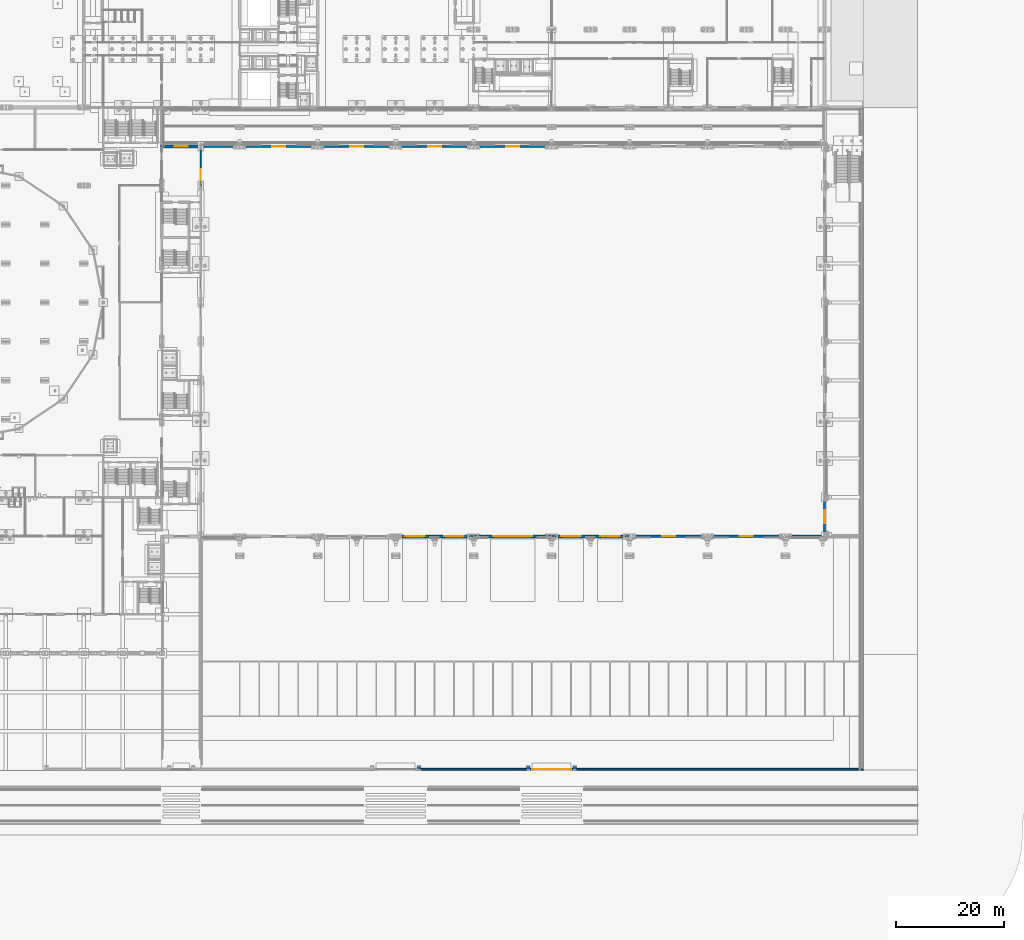
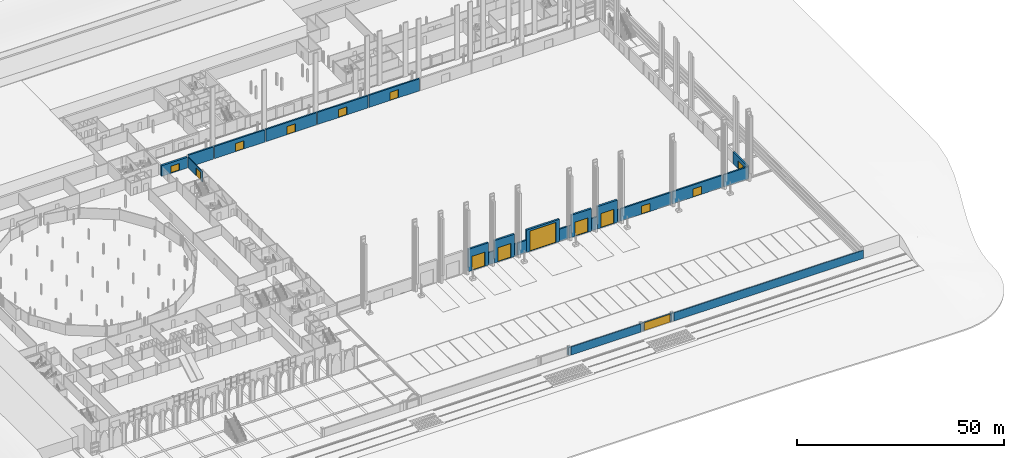
# One storey, part 85 of 148: 29 walls, 15 doors, 15 openings.
"""IFC4 building model written with IfcOpenShell, lengths in metres."""

from ifc_helpers import new_model, si_unit, direction, frame, frame_2d, origin, place, context, subcontext, project, spatial, rectangle, extrude, material, layer, layer_set, type_object, element, fill, save


model = new_model("IFC4")

# Units and contexts
model_context = context("Model", 3, precision=1e-05, world=origin(), true_north=direction((0.0, 1.0)))
body_context = subcontext(model_context, "Body", "Model", "MODEL_VIEW")
ifc_project = project(units=[si_unit("LENGTHUNIT", "METRE"), si_unit("AREAUNIT", "SQUARE_METRE"), si_unit("VOLUMEUNIT", "CUBIC_METRE"), si_unit("PLANEANGLEUNIT", "RADIAN"), si_unit("MASSUNIT", "GRAM", prefix="KILO")], contexts=[model_context])

# Site, building, storey
site_placement = place(None, origin())
site = spatial("IfcSite", under=ifc_project, at=site_placement, CompositionType="ELEMENT")
building_placement = place(site_placement, origin())
building = spatial("IfcBuilding", under=site, at=building_placement, Name="Kupolbacken Congress Centre", CompositionType="ELEMENT")
storey_placement = place(building_placement, origin())
storey = spatial("IfcBuildingStorey", under=building, at=storey_placement, Name="L00", CompositionType="ELEMENT", Elevation=0.0)

# Wall
ifc_material_1 = material(Name="Brick", Category="masonry")
ifc_layer_1 = layer(ifc_material_1, 0.10791015625)
ifc_material_2 = material(Name="Concrete block", Category="masonry")
ifc_layer_2 = layer(ifc_material_2, 0.19189453125)
ifc_layer_set_1 = layer_set([ifc_layer_1, ifc_layer_2], Name="Brick / Concrete block")
wall_type_1 = type_object("IfcWallType", Name="BW1 boundary wall 300", PredefinedType="SOLIDWALL", material=ifc_layer_set_1)
wall_1_placement = place(storey_placement, frame((127.0, 0.175048828125, 0.0), z_axis=(0.0, 0.0, 1.0), x_axis=(1.0, 0.0, 0.0)))
element("IfcWall", 1, at=wall_1_placement, inside=storey, type_object=wall_type_1, Name="Boundary wall lower-yard 05", PredefinedType="SOLIDWALL", context=body_context, shape_type="SweptSolid", body=[
    extrude(rectangle(XDim=19.60009765625, YDim=0.300048828125, at=frame_2d((9.800048828125, 0.0))), origin(), (0.0, 0.0, 1.0), 2.39990234375),
])

# Wall, opening, door
wall_2_placement = place(storey_placement, frame((147.199951171875, 0.175048828125, 0.0), z_axis=(0.0, 0.0, 1.0), x_axis=(1.0, 0.0, 0.0)))
wall_2 = element("IfcWall", 2, at=wall_2_placement, inside=storey, type_object=wall_type_1, Name="Boundary wall at gate YG2", PredefinedType="SOLIDWALL", context=body_context, shape_type="SweptSolid", body=[
    extrude(rectangle(XDim=8.0, YDim=0.300048828125, at=frame_2d((4.0, 0.0))), origin(), (0.0, 0.0, 1.0), 2.5),
])
opening_1_placement = place(wall_2_placement, frame((0.39990234375, 0.0, 0.0)))
opening_1 = element("IfcOpeningElement", 3, at=opening_1_placement, cuts=wall_2, Name="Opening D41", PredefinedType="OPENING", context=body_context, shape_type="SweptSolid", body=[
    extrude(rectangle(XDim=7.199951171875, YDim=2.39990234375, at=frame_2d((3.60009765625, 1.199951171875))), frame((0.0, 0.159912109375, 0.0), z_axis=(0.0, -1.0, 0.0), x_axis=(1.0, 0.0, 0.0)), (0.0, 0.0, 1.0), 0.320068359375),
])
ifc_material_3 = material(Name="Galvanised steel gate", Category="steel")
door_type_1 = type_object("IfcDoorType", Name="D41 vehicle gate 7200x2400", OperationType="DOUBLE_DOOR_SINGLE_SWING", PredefinedType="GATE", material=ifc_material_3)
door_1_placement = place(opening_1_placement, frame((7.199951171875, 0.0, 0.0), z_axis=(0.0, 0.0, 1.0), x_axis=(-1.0, 0.0, 0.0)))
door_1 = element("IfcDoor", 4, at=door_1_placement, inside=storey, type_object=door_type_1, Name="Boundary vehicle gate YG2", OperationType="DOUBLE_DOOR_SINGLE_SWING", OverallHeight=2.39990234375, OverallWidth=7.199951171875, PredefinedType="GATE", context=body_context, shape_type="SweptSolid", body=[
    extrude(rectangle(XDim=7.199951171875, YDim=2.39990234375, at=frame_2d((3.60009765625, 1.199951171875))), frame((0.0, 0.02490234375, 0.0), z_axis=(0.0, -1.0, 0.0), x_axis=(1.0, 0.0, 0.0)), (0.0, 0.0, 1.0), 0.050048828125),
])
fill(opening_1, door_1)

# Wall
wall_3_placement = place(storey_placement, frame((155.800048828125, 0.175048828125, 0.0), z_axis=(0.0, 0.0, 1.0), x_axis=(1.0, 0.0, 0.0)))
element("IfcWall", 5, at=wall_3_placement, inside=storey, type_object=wall_type_1, Name="Boundary wall lower-yard 06", PredefinedType="SOLIDWALL", context=body_context, shape_type="SweptSolid", body=[
    extrude(rectangle(XDim=52.9990234375, YDim=0.300048828125, at=frame_2d((26.49951171875, 0.0))), origin(), (0.0, 0.0, 1.0), 2.39990234375),
])

# Wall, opening, door
ifc_layer_3 = layer(ifc_material_1, 0.10791015625)
ifc_material_4 = material(Name="Air cavity", Category="air")
ifc_layer_4 = layer(ifc_material_4, 0.0400390625, ventilated=True)
ifc_material_5 = material(Name="Mineral wool", Category="insulation")
ifc_layer_5 = layer(ifc_material_5, 0.152099609375)
ifc_layer_6 = layer(ifc_material_2, 0.1201171875)
ifc_layer_set_2 = layer_set([ifc_layer_3, ifc_layer_4, ifc_layer_5, ifc_layer_6], Name="Brick / Mineral wool / Concrete block")
wall_type_2 = type_object("IfcWallType", Name="EW04 external cavity wall 420", PredefinedType="SOLIDWALL", material=ifc_layer_set_2)
wall_4_placement = place(storey_placement, frame((201.60009765625, 43.409912109375, 0.0), z_axis=(0.0, 0.0, 1.0), x_axis=(0.0, 1.0, 0.0)))
wall_4 = element("IfcWall", 6, at=wall_4_placement, inside=storey, type_object=wall_type_2, Name="E/H/E/L00/049", PredefinedType="SOLIDWALL", context=body_context, shape_type="SweptSolid", body=[
    extrude(rectangle(XDim=6.844970703125, YDim=0.419921875, at=frame_2d((3.42236328125, 0.0))), origin(), (0.0, 0.0, 1.0), 3.60009765625),
])
opening_2_placement = place(wall_4_placement, frame((2.18994140625, 0.0, 0.014892578125)))
opening_2 = element("IfcOpeningElement", 7, at=opening_2_placement, cuts=wall_4, Name="Opening D46", PredefinedType="OPENING", context=body_context, shape_type="SweptSolid", body=[
    extrude(rectangle(XDim=2.39990234375, YDim=2.39990234375, at=frame_2d((1.199951171875, 1.199951171875))), frame((0.0, 0.219970703125, 0.0), z_axis=(0.0, -1.0, 0.0), x_axis=(1.0, 0.0, 0.0)), (0.0, 0.0, 1.0), 0.43994140625),
])
ifc_material_6 = material(Name="Timber door leaf", Category="wood")
door_type_2 = type_object("IfcDoorType", Name="D46 door 2400x2400 with 15 mm threshold", OperationType="DOUBLE_DOOR_SINGLE_SWING", PredefinedType="DOOR", material=ifc_material_6)
door_2_placement = place(opening_2_placement, frame((2.39990234375, 0.0, 0.0), z_axis=(0.0, 0.0, 1.0), x_axis=(-1.0, 0.0, 0.0)))
door_2 = element("IfcDoor", 8, at=door_2_placement, inside=storey, type_object=door_type_2, Name="Hall exit E1", OperationType="DOUBLE_DOOR_SINGLE_SWING", OverallHeight=2.39990234375, OverallWidth=2.39990234375, PredefinedType="DOOR", context=body_context, shape_type="SweptSolid", body=[
    extrude(rectangle(XDim=2.39990234375, YDim=2.39990234375, at=frame_2d((1.199951171875, 1.199951171875))), frame((0.0, 0.02490234375, 0.0), z_axis=(0.0, -1.0, 0.0), x_axis=(1.0, 0.0, 0.0)), (0.0, 0.0, 1.0), 0.050048828125),
])
fill(opening_2, door_2)

wall_5_placement = place(storey_placement, frame((151.050048828125, 115.199951171875, 0.0), z_axis=(0.0, 0.0, 1.0), x_axis=(-1.0, 0.0, 0.0)))
wall_5 = element("IfcWall", 9, at=wall_5_placement, inside=storey, type_object=wall_type_2, Name="E/H/N/L00/063", PredefinedType="SOLIDWALL", context=body_context, shape_type="SweptSolid", body=[
    extrude(rectangle(XDim=14.10009765625, YDim=0.419921875, at=frame_2d((7.050048828125, 0.0))), origin(), (0.0, 0.0, 1.0), 3.60009765625),
])
opening_3_placement = place(wall_5_placement, frame((5.85009765625, 0.0, 0.014892578125)))
opening_3 = element("IfcOpeningElement", 10, at=opening_3_placement, cuts=wall_5, Name="Opening D46", PredefinedType="OPENING", context=body_context, shape_type="SweptSolid", body=[
    extrude(rectangle(XDim=2.39990234375, YDim=2.39990234375, at=frame_2d((1.199951171875, 1.199951171875))), frame((0.0, 0.219970703125, 0.0), z_axis=(0.0, -1.0, 0.0), x_axis=(1.0, 0.0, 0.0)), (0.0, 0.0, 1.0), 0.43994140625),
])
door_3_placement = place(opening_3_placement, frame((2.39990234375, 0.0, 0.0), z_axis=(0.0, 0.0, 1.0), x_axis=(-1.0, 0.0, 0.0)))
door_3 = element("IfcDoor", 11, at=door_3_placement, inside=storey, type_object=door_type_2, Name="Hall exit N4", OperationType="DOUBLE_DOOR_SINGLE_SWING", OverallHeight=2.39990234375, OverallWidth=2.39990234375, PredefinedType="DOOR", context=body_context, shape_type="SweptSolid", body=[
    extrude(rectangle(XDim=2.39990234375, YDim=2.39990234375, at=frame_2d((1.199951171875, 1.199951171875))), frame((0.0, 0.02490234375, 0.0), z_axis=(0.0, -1.0, 0.0), x_axis=(1.0, 0.0, 0.0)), (0.0, 0.0, 1.0), 0.050048828125),
])
fill(opening_3, door_3)

wall_6_placement = place(storey_placement, frame((136.64990234375, 115.199951171875, 0.0), z_axis=(0.0, 0.0, 1.0), x_axis=(-1.0, 0.0, 0.0)))
wall_6 = element("IfcWall", 12, at=wall_6_placement, inside=storey, type_object=wall_type_2, Name="E/H/N/L00/064", PredefinedType="SOLIDWALL", context=body_context, shape_type="SweptSolid", body=[
    extrude(rectangle(XDim=14.099853515625, YDim=0.419921875, at=frame_2d((7.0498046875, 0.0))), origin(), (0.0, 0.0, 1.0), 3.60009765625),
])
opening_4_placement = place(wall_6_placement, frame((5.85009765625, 0.0, 0.014892578125)))
opening_4 = element("IfcOpeningElement", 13, at=opening_4_placement, cuts=wall_6, Name="Opening D46", PredefinedType="OPENING", context=body_context, shape_type="SweptSolid", body=[
    extrude(rectangle(XDim=2.39990234375, YDim=2.39990234375, at=frame_2d((1.199951171875, 1.199951171875))), frame((0.0, 0.219970703125, 0.0), z_axis=(0.0, -1.0, 0.0), x_axis=(1.0, 0.0, 0.0)), (0.0, 0.0, 1.0), 0.43994140625),
])
door_4_placement = place(opening_4_placement, frame((2.39990234375, 0.0, 0.0), z_axis=(0.0, 0.0, 1.0), x_axis=(-1.0, 0.0, 0.0)))
door_4 = element("IfcDoor", 14, at=door_4_placement, inside=storey, type_object=door_type_2, Name="Hall exit N3", OperationType="DOUBLE_DOOR_SINGLE_SWING", OverallHeight=2.39990234375, OverallWidth=2.39990234375, PredefinedType="DOOR", context=body_context, shape_type="SweptSolid", body=[
    extrude(rectangle(XDim=2.39990234375, YDim=2.39990234375, at=frame_2d((1.199951171875, 1.199951171875))), frame((0.0, 0.02490234375, 0.0), z_axis=(0.0, -1.0, 0.0), x_axis=(1.0, 0.0, 0.0)), (0.0, 0.0, 1.0), 0.050048828125),
])
fill(opening_4, door_4)

wall_7_placement = place(storey_placement, frame((122.25, 115.199951171875, 0.0), z_axis=(0.0, 0.0, 1.0), x_axis=(-1.0, 0.0, 0.0)))
wall_7 = element("IfcWall", 15, at=wall_7_placement, inside=storey, type_object=wall_type_2, Name="E/H/N/L00/065", PredefinedType="SOLIDWALL", context=body_context, shape_type="SweptSolid", body=[
    extrude(rectangle(XDim=14.10009765625, YDim=0.419921875, at=frame_2d((7.050048828125, 0.0))), origin(), (0.0, 0.0, 1.0), 3.60009765625),
])
opening_5_placement = place(wall_7_placement, frame((5.85009765625, 0.0, 0.014892578125)))
opening_5 = element("IfcOpeningElement", 16, at=opening_5_placement, cuts=wall_7, Name="Opening D46", PredefinedType="OPENING", context=body_context, shape_type="SweptSolid", body=[
    extrude(rectangle(XDim=2.39990234375, YDim=2.39990234375, at=frame_2d((1.199951171875, 1.199951171875))), frame((0.0, 0.219970703125, 0.0), z_axis=(0.0, -1.0, 0.0), x_axis=(1.0, 0.0, 0.0)), (0.0, 0.0, 1.0), 0.43994140625),
])
door_5_placement = place(opening_5_placement, frame((2.39990234375, 0.0, 0.0), z_axis=(0.0, 0.0, 1.0), x_axis=(-1.0, 0.0, 0.0)))
door_5 = element("IfcDoor", 17, at=door_5_placement, inside=storey, type_object=door_type_2, Name="Hall exit N2", OperationType="DOUBLE_DOOR_SINGLE_SWING", OverallHeight=2.39990234375, OverallWidth=2.39990234375, PredefinedType="DOOR", context=body_context, shape_type="SweptSolid", body=[
    extrude(rectangle(XDim=2.39990234375, YDim=2.39990234375, at=frame_2d((1.199951171875, 1.199951171875))), frame((0.0, 0.02490234375, 0.0), z_axis=(0.0, -1.0, 0.0), x_axis=(1.0, 0.0, 0.0)), (0.0, 0.0, 1.0), 0.050048828125),
])
fill(opening_5, door_5)

wall_8_placement = place(storey_placement, frame((107.85009765625, 115.199951171875, 0.0), z_axis=(0.0, 0.0, 1.0), x_axis=(-1.0, 0.0, 0.0)))
wall_8 = element("IfcWall", 18, at=wall_8_placement, inside=storey, type_object=wall_type_2, Name="E/H/N/L00/066", PredefinedType="SOLIDWALL", context=body_context, shape_type="SweptSolid", body=[
    extrude(rectangle(XDim=14.10009765625, YDim=0.419921875, at=frame_2d((7.050048828125, 0.0))), origin(), (0.0, 0.0, 1.0), 3.60009765625),
])
opening_6_placement = place(wall_8_placement, frame((5.85009765625, 0.0, 0.014892578125)))
opening_6 = element("IfcOpeningElement", 19, at=opening_6_placement, cuts=wall_8, Name="Opening D46", PredefinedType="OPENING", context=body_context, shape_type="SweptSolid", body=[
    extrude(rectangle(XDim=2.39990234375, YDim=2.39990234375, at=frame_2d((1.199951171875, 1.199951171875))), frame((0.0, 0.219970703125, 0.0), z_axis=(0.0, -1.0, 0.0), x_axis=(1.0, 0.0, 0.0)), (0.0, 0.0, 1.0), 0.43994140625),
])
door_6_placement = place(opening_6_placement, frame((2.39990234375, 0.0, 0.0), z_axis=(0.0, 0.0, 1.0), x_axis=(-1.0, 0.0, 0.0)))
door_6 = element("IfcDoor", 20, at=door_6_placement, inside=storey, type_object=door_type_2, Name="Hall exit N1", OperationType="DOUBLE_DOOR_SINGLE_SWING", OverallHeight=2.39990234375, OverallWidth=2.39990234375, PredefinedType="DOOR", context=body_context, shape_type="SweptSolid", body=[
    extrude(rectangle(XDim=2.39990234375, YDim=2.39990234375, at=frame_2d((1.199951171875, 1.199951171875))), frame((0.0, 0.02490234375, 0.0), z_axis=(0.0, -1.0, 0.0), x_axis=(1.0, 0.0, 0.0)), (0.0, 0.0, 1.0), 0.050048828125),
])
fill(opening_6, door_6)

# Walls
wall_9_placement = place(storey_placement, frame((93.449951171875, 115.199951171875, 0.0), z_axis=(0.0, 0.0, 1.0), x_axis=(-1.0, 0.0, 0.0)))
element("IfcWall", 21, at=wall_9_placement, inside=storey, type_object=wall_type_2, Name="E/H/N/L00/067", PredefinedType="SOLIDWALL", context=body_context, shape_type="SweptSolid", body=[
    extrude(rectangle(XDim=6.89990234375, YDim=0.419921875, at=frame_2d((3.449951171875, 0.0))), origin(), (0.0, 0.0, 1.0), 3.60009765625),
])
wall_10_placement = place(storey_placement, frame((128.800048828125, 43.199951171875, 0.0), z_axis=(0.0, 0.0, 1.0), x_axis=(1.0, 0.0, 0.0)))
element("IfcWall", 22, at=wall_10_placement, inside=storey, type_object=wall_type_2, Name="E/H/S/L00/077", PredefinedType="SOLIDWALL", context=body_context, shape_type="SweptSolid", body=[
    extrude(rectangle(XDim=1.599853515625, YDim=0.419921875, at=frame_2d((0.7998046875, 0.0))), origin(), (0.0, 0.0, 1.0), 3.60009765625),
])
wall_11_placement = place(storey_placement, frame((136.0, 43.199951171875, 0.0), z_axis=(0.0, 0.0, 1.0), x_axis=(1.0, 0.0, 0.0)))
element("IfcWall", 23, at=wall_11_placement, inside=storey, type_object=wall_type_2, Name="E/H/S/L00/079", PredefinedType="SOLIDWALL", context=body_context, shape_type="SweptSolid", body=[
    extrude(rectangle(XDim=0.64990234375, YDim=0.419921875, at=frame_2d((0.324951171875, 0.0))), origin(), (0.0, 0.0, 1.0), 3.60009765625),
])
for number, where, z_axis, x_axis, name in (
    (24, (136.949951171875, 43.199951171875, 0.0), (0.0, 0.0, 1.0), (1.0, 0.0, 0.0), "E/H/S/L00/080"),
    (25, (148.60009765625, 43.199951171875, 0.0), (0.0, 0.0, 1.0), (1.0, 0.0, 0.0), "E/H/S/L00/082"),
):
    element("IfcWall", number, at=place(storey_placement, frame(where, z_axis=z_axis, x_axis=x_axis)), inside=storey, type_object=wall_type_2, Name=name, PredefinedType="SOLIDWALL", context=body_context, shape_type="SweptSolid", body=[
        extrude(rectangle(XDim=2.449951171875, YDim=0.419921875, at=frame_2d((1.22509765625, 0.0))), origin(), (0.0, 0.0, 1.0), 3.60009765625),
    ])
wall_12_placement = place(storey_placement, frame((151.35009765625, 43.199951171875, 0.0), z_axis=(0.0, 0.0, 1.0), x_axis=(1.0, 0.0, 0.0)))
element("IfcWall", 26, at=wall_12_placement, inside=storey, type_object=wall_type_2, Name="E/H/S/L00/083", PredefinedType="SOLIDWALL", context=body_context, shape_type="SweptSolid", body=[
    extrude(rectangle(XDim=0.64990234375, YDim=0.419921875, at=frame_2d((0.324951171875, 0.0))), origin(), (0.0, 0.0, 1.0), 3.60009765625),
])
wall_13_placement = place(storey_placement, frame((157.60009765625, 43.199951171875, 0.0), z_axis=(0.0, 0.0, 1.0), x_axis=(1.0, 0.0, 0.0)))
element("IfcWall", 27, at=wall_13_placement, inside=storey, type_object=wall_type_2, Name="E/H/S/L00/085", PredefinedType="SOLIDWALL", context=body_context, shape_type="SweptSolid", body=[
    extrude(rectangle(XDim=1.599853515625, YDim=0.419921875, at=frame_2d((0.7998046875, 0.0))), origin(), (0.0, 0.0, 1.0), 3.60009765625),
])
wall_14_placement = place(storey_placement, frame((164.800048828125, 43.199951171875, 0.0), z_axis=(0.0, 0.0, 1.0), x_axis=(1.0, 0.0, 0.0)))
element("IfcWall", 28, at=wall_14_placement, inside=storey, type_object=wall_type_2, Name="E/H/S/L00/087", PredefinedType="SOLIDWALL", context=body_context, shape_type="SweptSolid", body=[
    extrude(rectangle(XDim=0.64990234375, YDim=0.419921875, at=frame_2d((0.324951171875, 0.0))), origin(), (0.0, 0.0, 1.0), 3.60009765625),
])

# Wall, opening, door
wall_15_placement = place(storey_placement, frame((165.75, 43.199951171875, 0.0), z_axis=(0.0, 0.0, 1.0), x_axis=(1.0, 0.0, 0.0)))
wall_15 = element("IfcWall", 29, at=wall_15_placement, inside=storey, type_object=wall_type_2, Name="E/H/S/L00/088", PredefinedType="SOLIDWALL", context=body_context, shape_type="SweptSolid", body=[
    extrude(rectangle(XDim=14.10009765625, YDim=0.419921875, at=frame_2d((7.050048828125, 0.0))), origin(), (0.0, 0.0, 1.0), 3.60009765625),
])
opening_7_placement = place(wall_15_placement, frame((5.85009765625, 0.0, 0.014892578125)))
opening_7 = element("IfcOpeningElement", 30, at=opening_7_placement, cuts=wall_15, Name="Opening D46", PredefinedType="OPENING", context=body_context, shape_type="SweptSolid", body=[
    extrude(rectangle(XDim=2.39990234375, YDim=2.39990234375, at=frame_2d((1.199951171875, 1.199951171875))), frame((0.0, 0.219970703125, 0.0), z_axis=(0.0, -1.0, 0.0), x_axis=(1.0, 0.0, 0.0)), (0.0, 0.0, 1.0), 0.43994140625),
])
door_7_placement = place(opening_7_placement, frame((2.39990234375, 0.0, 0.0), z_axis=(0.0, 0.0, 1.0), x_axis=(-1.0, 0.0, 0.0)))
door_7 = element("IfcDoor", 31, at=door_7_placement, inside=storey, type_object=door_type_2, Name="Hall exit S6", OperationType="DOUBLE_DOOR_SINGLE_SWING", OverallHeight=2.39990234375, OverallWidth=2.39990234375, PredefinedType="DOOR", context=body_context, shape_type="SweptSolid", body=[
    extrude(rectangle(XDim=2.39990234375, YDim=2.39990234375, at=frame_2d((1.199951171875, 1.199951171875))), frame((0.0, 0.02490234375, 0.0), z_axis=(0.0, -1.0, 0.0), x_axis=(1.0, 0.0, 0.0)), (0.0, 0.0, 1.0), 0.050048828125),
])
fill(opening_7, door_7)

wall_16_placement = place(storey_placement, frame((180.14990234375, 43.199951171875, 0.0), z_axis=(0.0, 0.0, 1.0), x_axis=(1.0, 0.0, 0.0)))
wall_16 = element("IfcWall", 32, at=wall_16_placement, inside=storey, type_object=wall_type_2, Name="E/H/S/L00/089", PredefinedType="SOLIDWALL", context=body_context, shape_type="SweptSolid", body=[
    extrude(rectangle(XDim=14.10009765625, YDim=0.419921875, at=frame_2d((7.050048828125, 0.0))), origin(), (0.0, 0.0, 1.0), 3.60009765625),
])
opening_8_placement = place(wall_16_placement, frame((5.85009765625, 0.0, 0.014892578125)))
opening_8 = element("IfcOpeningElement", 33, at=opening_8_placement, cuts=wall_16, Name="Opening D46", PredefinedType="OPENING", context=body_context, shape_type="SweptSolid", body=[
    extrude(rectangle(XDim=2.39990234375, YDim=2.39990234375, at=frame_2d((1.199951171875, 1.199951171875))), frame((0.0, 0.219970703125, 0.0), z_axis=(0.0, -1.0, 0.0), x_axis=(1.0, 0.0, 0.0)), (0.0, 0.0, 1.0), 0.43994140625),
])
door_8_placement = place(opening_8_placement, frame((2.39990234375, 0.0, 0.0), z_axis=(0.0, 0.0, 1.0), x_axis=(-1.0, 0.0, 0.0)))
door_8 = element("IfcDoor", 34, at=door_8_placement, inside=storey, type_object=door_type_2, Name="Hall exit S7", OperationType="DOUBLE_DOOR_SINGLE_SWING", OverallHeight=2.39990234375, OverallWidth=2.39990234375, PredefinedType="DOOR", context=body_context, shape_type="SweptSolid", body=[
    extrude(rectangle(XDim=2.39990234375, YDim=2.39990234375, at=frame_2d((1.199951171875, 1.199951171875))), frame((0.0, 0.02490234375, 0.0), z_axis=(0.0, -1.0, 0.0), x_axis=(1.0, 0.0, 0.0)), (0.0, 0.0, 1.0), 0.050048828125),
])
fill(opening_8, door_8)

# Wall
wall_17_placement = place(storey_placement, frame((194.550048828125, 43.199951171875, 0.0), z_axis=(0.0, 0.0, 1.0), x_axis=(1.0, 0.0, 0.0)))
element("IfcWall", 35, at=wall_17_placement, inside=storey, type_object=wall_type_2, Name="E/H/S/L00/090", PredefinedType="SOLIDWALL", context=body_context, shape_type="SweptSolid", body=[
    extrude(rectangle(XDim=6.89990234375, YDim=0.419921875, at=frame_2d((3.449951171875, 0.0))), origin(), (0.0, 0.0, 1.0), 3.60009765625),
])

# Wall, opening, door
ifc_material_7 = material(Name="Concrete C40/50", Category="concrete")
ifc_layer_7 = layer(ifc_material_7, 0.199951171875)
ifc_layer_8 = layer(ifc_material_5, 0.172119140625)
ifc_layer_9 = layer(ifc_material_4, 0.0400390625, ventilated=True)
ifc_layer_10 = layer(ifc_material_1, 0.10791015625)
ifc_layer_set_3 = layer_set([ifc_layer_7, ifc_layer_8, ifc_layer_9, ifc_layer_10], Name="Concrete C40/50 / Mineral wool / Brick")
wall_type_3 = type_object("IfcWallType", Name="EW08 external cavity wall 520", PredefinedType="SOLIDWALL", material=ifc_layer_set_3)
wall_18_placement = place(storey_placement, frame((123.199951171875, 43.199951171875, 0.0), z_axis=(0.0, 0.0, 1.0), x_axis=(1.0, 0.0, 0.0)))
wall_18 = element("IfcWall", 36, at=wall_18_placement, inside=storey, type_object=wall_type_3, Name="E/H/S/L00/076", PredefinedType="SOLIDWALL", context=body_context, shape_type="SweptSolid", body=[
    extrude(rectangle(XDim=5.60009765625, YDim=0.52001953125, at=frame_2d((2.800048828125, 0.0))), origin(), (0.0, 0.0, 1.0), 6.60009765625),
])
opening_9_placement = place(wall_18_placement, frame((1.0, 0.0, 0.014892578125)))
opening_9 = element("IfcOpeningElement", 37, at=opening_9_placement, cuts=wall_18, Name="Opening D28", PredefinedType="OPENING", context=body_context, shape_type="SweptSolid", body=[
    extrude(rectangle(XDim=3.60009765625, YDim=4.199951171875, at=frame_2d((1.800048828125, 2.10009765625))), frame((0.0, 0.27001953125, 0.0), z_axis=(0.0, -1.0, 0.0), x_axis=(1.0, 0.0, 0.0)), (0.0, 0.0, 1.0), 0.5400390625),
])
ifc_material_8 = material(Name="Steel fire door leaf", Category="steel")
door_type_3 = type_object("IfcDoorType", Name="D28 fire door dock gate 3600x4200", OperationType="ROLLINGUP", PredefinedType="GATE", material=ifc_material_8)
door_9_placement = place(opening_9_placement, origin())
door_9 = element("IfcDoor", 38, at=door_9_placement, inside=storey, type_object=door_type_3, Name="Dock door D3", OperationType="SINGLE_SWING_LEFT", OverallHeight=4.199951171875, OverallWidth=3.60009765625, PredefinedType="GATE", context=body_context, shape_type="SweptSolid", body=[
    extrude(rectangle(XDim=3.60009765625, YDim=4.199951171875, at=frame_2d((1.800048828125, 2.10009765625))), frame((0.0, 0.02490234375, 0.0), z_axis=(0.0, -1.0, 0.0), x_axis=(1.0, 0.0, 0.0)), (0.0, 0.0, 1.0), 0.050048828125),
])
fill(opening_9, door_9)

wall_19_placement = place(storey_placement, frame((130.39990234375, 43.199951171875, 0.0), z_axis=(0.0, 0.0, 1.0), x_axis=(1.0, 0.0, 0.0)))
wall_19 = element("IfcWall", 39, at=wall_19_placement, inside=storey, type_object=wall_type_3, Name="E/H/S/L00/078", PredefinedType="SOLIDWALL", context=body_context, shape_type="SweptSolid", body=[
    extrude(rectangle(XDim=5.60009765625, YDim=0.52001953125, at=frame_2d((2.800048828125, 0.0))), origin(), (0.0, 0.0, 1.0), 6.60009765625),
])
opening_10_placement = place(wall_19_placement, frame((1.0, 0.0, 0.014892578125)))
opening_10 = element("IfcOpeningElement", 40, at=opening_10_placement, cuts=wall_19, Name="Opening D28", PredefinedType="OPENING", context=body_context, shape_type="SweptSolid", body=[
    extrude(rectangle(XDim=3.60009765625, YDim=4.199951171875, at=frame_2d((1.800048828125, 2.10009765625))), frame((0.0, 0.27001953125, 0.0), z_axis=(0.0, -1.0, 0.0), x_axis=(1.0, 0.0, 0.0)), (0.0, 0.0, 1.0), 0.5400390625),
])
door_10_placement = place(opening_10_placement, origin())
door_10 = element("IfcDoor", 41, at=door_10_placement, inside=storey, type_object=door_type_3, Name="Dock door D4", OperationType="SINGLE_SWING_LEFT", OverallHeight=4.199951171875, OverallWidth=3.60009765625, PredefinedType="GATE", context=body_context, shape_type="SweptSolid", body=[
    extrude(rectangle(XDim=3.60009765625, YDim=4.199951171875, at=frame_2d((1.800048828125, 2.10009765625))), frame((0.0, 0.02490234375, 0.0), z_axis=(0.0, -1.0, 0.0), x_axis=(1.0, 0.0, 0.0)), (0.0, 0.0, 1.0), 0.050048828125),
])
fill(opening_10, door_10)

wall_20_placement = place(storey_placement, frame((139.39990234375, 43.199951171875, 0.0), z_axis=(0.0, 0.0, 1.0), x_axis=(1.0, 0.0, 0.0)))
wall_20 = element("IfcWall", 42, at=wall_20_placement, inside=storey, type_object=wall_type_3, Name="E/H/S/L00/081", PredefinedType="SOLIDWALL", context=body_context, shape_type="SweptSolid", body=[
    extrude(rectangle(XDim=9.2001953125, YDim=0.52001953125, at=frame_2d((4.60009765625, 0.0))), origin(), (0.0, 0.0, 1.0), 6.60009765625),
])
opening_11_placement = place(wall_20_placement, frame((1.0, 0.0, 0.014892578125)))
opening_11 = element("IfcOpeningElement", 43, at=opening_11_placement, cuts=wall_20, Name="Opening D29", PredefinedType="OPENING", context=body_context, shape_type="SweptSolid", body=[
    extrude(rectangle(XDim=7.199951171875, YDim=6.0, at=frame_2d((3.60009765625, 3.0))), frame((0.0, 0.27001953125, 0.0), z_axis=(0.0, -1.0, 0.0), x_axis=(1.0, 0.0, 0.0)), (0.0, 0.0, 1.0), 0.5400390625),
])
ifc_material_9 = material(Name="Galvanised steel door leaf", Category="steel")
door_type_4 = type_object("IfcDoorType", Name="D29 gate 7200x6000", OperationType="ROLLINGUP", PredefinedType="GATE", material=ifc_material_9)
door_11_placement = place(opening_11_placement, origin())
door_11 = element("IfcDoor", 44, at=door_11_placement, inside=storey, type_object=door_type_4, Name="Drive-in door V1", OperationType="SINGLE_SWING_LEFT", OverallHeight=6.0, OverallWidth=7.199951171875, PredefinedType="GATE", context=body_context, shape_type="SweptSolid", body=[
    extrude(rectangle(XDim=7.199951171875, YDim=6.0, at=frame_2d((3.60009765625, 3.0))), frame((0.0, 0.02490234375, 0.0), z_axis=(0.0, -1.0, 0.0), x_axis=(1.0, 0.0, 0.0)), (0.0, 0.0, 1.0), 0.050048828125),
])
fill(opening_11, door_11)

wall_21_placement = place(storey_placement, frame((152.0, 43.199951171875, 0.0), z_axis=(0.0, 0.0, 1.0), x_axis=(1.0, 0.0, 0.0)))
wall_21 = element("IfcWall", 45, at=wall_21_placement, inside=storey, type_object=wall_type_3, Name="E/H/S/L00/084", PredefinedType="SOLIDWALL", context=body_context, shape_type="SweptSolid", body=[
    extrude(rectangle(XDim=5.60009765625, YDim=0.52001953125, at=frame_2d((2.800048828125, 0.0))), origin(), (0.0, 0.0, 1.0), 6.60009765625),
])
opening_12_placement = place(wall_21_placement, frame((1.0, 0.0, 0.014892578125)))
opening_12 = element("IfcOpeningElement", 46, at=opening_12_placement, cuts=wall_21, Name="Opening D28", PredefinedType="OPENING", context=body_context, shape_type="SweptSolid", body=[
    extrude(rectangle(XDim=3.60009765625, YDim=4.199951171875, at=frame_2d((1.800048828125, 2.10009765625))), frame((0.0, 0.27001953125, 0.0), z_axis=(0.0, -1.0, 0.0), x_axis=(1.0, 0.0, 0.0)), (0.0, 0.0, 1.0), 0.5400390625),
])
door_12_placement = place(opening_12_placement, origin())
door_12 = element("IfcDoor", 47, at=door_12_placement, inside=storey, type_object=door_type_3, Name="Dock door D5", OperationType="SINGLE_SWING_LEFT", OverallHeight=4.199951171875, OverallWidth=3.60009765625, PredefinedType="GATE", context=body_context, shape_type="SweptSolid", body=[
    extrude(rectangle(XDim=3.60009765625, YDim=4.199951171875, at=frame_2d((1.800048828125, 2.10009765625))), frame((0.0, 0.02490234375, 0.0), z_axis=(0.0, -1.0, 0.0), x_axis=(1.0, 0.0, 0.0)), (0.0, 0.0, 1.0), 0.050048828125),
])
fill(opening_12, door_12)

wall_22_placement = place(storey_placement, frame((159.199951171875, 43.199951171875, 0.0), z_axis=(0.0, 0.0, 1.0), x_axis=(1.0, 0.0, 0.0)))
wall_22 = element("IfcWall", 48, at=wall_22_placement, inside=storey, type_object=wall_type_3, Name="E/H/S/L00/086", PredefinedType="SOLIDWALL", context=body_context, shape_type="SweptSolid", body=[
    extrude(rectangle(XDim=5.60009765625, YDim=0.52001953125, at=frame_2d((2.800048828125, 0.0))), origin(), (0.0, 0.0, 1.0), 6.60009765625),
])
opening_13_placement = place(wall_22_placement, frame((1.0, 0.0, 0.014892578125)))
opening_13 = element("IfcOpeningElement", 49, at=opening_13_placement, cuts=wall_22, Name="Opening D28", PredefinedType="OPENING", context=body_context, shape_type="SweptSolid", body=[
    extrude(rectangle(XDim=3.60009765625, YDim=4.199951171875, at=frame_2d((1.800048828125, 2.10009765625))), frame((0.0, 0.27001953125, 0.0), z_axis=(0.0, -1.0, 0.0), x_axis=(1.0, 0.0, 0.0)), (0.0, 0.0, 1.0), 0.5400390625),
])
door_13_placement = place(opening_13_placement, origin())
door_13 = element("IfcDoor", 50, at=door_13_placement, inside=storey, type_object=door_type_3, Name="Dock door D6", OperationType="SINGLE_SWING_LEFT", OverallHeight=4.199951171875, OverallWidth=3.60009765625, PredefinedType="GATE", context=body_context, shape_type="SweptSolid", body=[
    extrude(rectangle(XDim=3.60009765625, YDim=4.199951171875, at=frame_2d((1.800048828125, 2.10009765625))), frame((0.0, 0.02490234375, 0.0), z_axis=(0.0, -1.0, 0.0), x_axis=(1.0, 0.0, 0.0)), (0.0, 0.0, 1.0), 0.050048828125),
])
fill(opening_13, door_13)

ifc_layer_11 = layer(ifc_material_7, 0.199951171875)
ifc_layer_12 = layer(ifc_material_5, 0.199951171875)
ifc_layer_13 = layer(ifc_material_4, 0.0400390625, ventilated=True)
ifc_material_10 = material(Name="Limestone", Category="masonry")
ifc_layer_14 = layer(ifc_material_10, 0.1201171875)
ifc_layer_set_4 = layer_set([ifc_layer_11, ifc_layer_12, ifc_layer_13, ifc_layer_14], Name="Concrete C40/50 / Mineral wool / Limestone")
wall_type_4 = type_object("IfcWallType", Name="EW09 external cavity wall 560", PredefinedType="SOLIDWALL", material=ifc_layer_set_4)
wall_23_placement = place(storey_placement, frame((86.25, 115.199951171875, 0.0), z_axis=(0.0, 0.0, 1.0), x_axis=(-1.0, 0.0, 0.0)))
wall_23 = element("IfcWall", 51, at=wall_23_placement, inside=storey, type_object=wall_type_4, Name="E/LINK/N/L00/091", PredefinedType="SOLIDWALL", context=body_context, shape_type="SweptSolid", body=[
    extrude(rectangle(XDim=7.27001953125, YDim=0.56005859375, at=frame_2d((3.635009765625, 0.0))), origin(), (0.0, 0.0, 1.0), 3.1201171875),
])
opening_14_placement = place(wall_23_placement, frame((2.25, 0.0, 0.014892578125)))
opening_14 = element("IfcOpeningElement", 52, at=opening_14_placement, cuts=wall_23, Name="Opening D50", PredefinedType="OPENING", context=body_context, shape_type="SweptSolid", body=[
    extrude(rectangle(XDim=2.39990234375, YDim=2.10009765625, at=frame_2d((1.199951171875, 1.050048828125))), frame((0.0, 0.2900390625, 0.0), z_axis=(0.0, -1.0, 0.0), x_axis=(1.0, 0.0, 0.0)), (0.0, 0.0, 1.0), 0.580078125),
])
ifc_material_11 = material(Name="Steel fire door leaf", Category="steel")
door_type_5 = type_object("IfcDoorType", Name="D50 stair door 2400x2100 with 15 mm threshold", OperationType="DOUBLE_DOOR_SINGLE_SWING", PredefinedType="DOOR", material=ifc_material_11)
door_14_placement = place(opening_14_placement, frame((2.39990234375, 0.0, 0.0), z_axis=(0.0, 0.0, 1.0), x_axis=(-1.0, 0.0, 0.0)))
door_14 = element("IfcDoor", 53, at=door_14_placement, inside=storey, type_object=door_type_5, Name="Final exit X4", OperationType="DOUBLE_DOOR_SINGLE_SWING", OverallHeight=2.10009765625, OverallWidth=2.39990234375, PredefinedType="DOOR", context=body_context, shape_type="SweptSolid", body=[
    extrude(rectangle(XDim=2.39990234375, YDim=2.10009765625, at=frame_2d((1.199951171875, 1.050048828125))), frame((0.0, 0.02490234375, 0.0), z_axis=(0.0, -1.0, 0.0), x_axis=(1.0, 0.0, 0.0)), (0.0, 0.0, 1.0), 0.050048828125),
])
fill(opening_14, door_14)

# Walls
ifc_layer_15 = layer(ifc_material_1, 0.10791015625)
ifc_layer_16 = layer(ifc_material_2, 0.491943359375)
ifc_layer_set_5 = layer_set([ifc_layer_15, ifc_layer_16], Name="Brick / Concrete block")
wall_type_5 = type_object("IfcWallType", Name="GP1 gate pier 600", PredefinedType="SOLIDWALL", material=ifc_layer_set_5)
wall_24_placement = place(storey_placement, frame((126.39990234375, 0.445068359375, 0.0), z_axis=(0.0, 0.0, 1.0), x_axis=(1.0, 0.0, 0.0)))
element("IfcWall", 54, at=wall_24_placement, inside=storey, type_object=wall_type_5, Name="Boundary gate pier 7", PredefinedType="SOLIDWALL", context=body_context, shape_type="SweptSolid", body=[
    extrude(rectangle(XDim=0.60009765625, YDim=0.60009765625, at=frame_2d((0.300048828125, 0.0))), origin(), (0.0, 0.0, 1.0), 2.39990234375),
])
wall_25_placement = place(storey_placement, frame((147.199951171875, 0.445068359375, 0.0), z_axis=(0.0, 0.0, 1.0), x_axis=(-1.0, 0.0, 0.0)))
element("IfcWall", 55, at=wall_25_placement, inside=storey, type_object=wall_type_5, Name="Boundary gate pier 8", PredefinedType="SOLIDWALL", context=body_context, shape_type="SweptSolid", body=[
    extrude(rectangle(XDim=0.599853515625, YDim=0.60009765625, at=frame_2d((0.2998046875, 0.0))), origin(), (0.0, 0.0, 1.0), 2.39990234375),
])
wall_26_placement = place(storey_placement, frame((155.199951171875, 0.445068359375, 0.0), z_axis=(0.0, 0.0, 1.0), x_axis=(1.0, 0.0, 0.0)))
element("IfcWall", 56, at=wall_26_placement, inside=storey, type_object=wall_type_5, Name="Boundary gate pier 9", PredefinedType="SOLIDWALL", context=body_context, shape_type="SweptSolid", body=[
    extrude(rectangle(XDim=0.60009765625, YDim=0.60009765625, at=frame_2d((0.300048828125, 0.0))), origin(), (0.0, 0.0, 1.0), 2.39990234375),
])

# Wall, opening, door
ifc_material_12 = material(Name="Dense concrete block", Category="masonry")
ifc_layer_17 = layer(ifc_material_12, 0.215087890625)
ifc_layer_set_6 = layer_set([ifc_layer_17], Name="Dense concrete block")
wall_type_6 = type_object("IfcWallType", Name="P15 partition 215", PredefinedType="PARTITIONING", material=ifc_layer_set_6)
wall_27_placement = place(storey_placement, frame((86.39990234375, 107.85498046875, 0.0), z_axis=(0.0, 0.0, 1.0), x_axis=(0.0, 1.0, 0.0)))
wall_27 = element("IfcWall", 57, at=wall_27_placement, inside=storey, type_object=wall_type_6, Name="PD/L00/W022.h1", PredefinedType="PARTITIONING", context=body_context, shape_type="SweptSolid", body=[
    extrude(rectangle(XDim=7.06494140625, YDim=0.215087890625, at=frame_2d((3.532470703125, 0.0))), origin(), (0.0, 0.0, 1.0), 3.1201171875),
])
opening_15_placement = place(wall_27_placement, frame((1.054931640625, 0.0, 0.0)))
opening_15 = element("IfcOpeningElement", 58, at=opening_15_placement, cuts=wall_27, Name="Opening 0.H03", PredefinedType="OPENING", context=body_context, shape_type="SweptSolid", body=[
    extrude(rectangle(XDim=2.10009765625, YDim=2.39990234375, at=frame_2d((1.050048828125, 1.199951171875))), frame((0.0, 0.117431640625, 0.0), z_axis=(0.0, -1.0, 0.0), x_axis=(1.0, 0.0, 0.0)), (0.0, 0.0, 1.0), 0.235107421875),
])
ifc_material_13 = material(Name="Steel fire door leaf", Category="steel")
door_type_6 = type_object("IfcDoorType", Name="D17 fire door 2100x2400", OperationType="DOUBLE_DOOR_SINGLE_SWING", PredefinedType="DOOR", material=ifc_material_13)
door_15_placement = place(opening_15_placement, origin())
door_15 = element("IfcDoor", 59, at=door_15_placement, inside=storey, type_object=door_type_6, Name="PD/L00/W022/D0H03", OperationType="DOUBLE_DOOR_SINGLE_SWING", OverallHeight=2.39990234375, OverallWidth=2.10009765625, PredefinedType="DOOR", context=body_context, shape_type="SweptSolid", body=[
    extrude(rectangle(XDim=2.10009765625, YDim=2.39990234375, at=frame_2d((1.050048828125, 1.199951171875))), frame((0.0, 0.02490234375, 0.0), z_axis=(0.0, -1.0, 0.0), x_axis=(1.0, 0.0, 0.0)), (0.0, 0.0, 1.0), 0.050048828125),
])
fill(opening_15, door_15)

save(model, "model.ifc")
